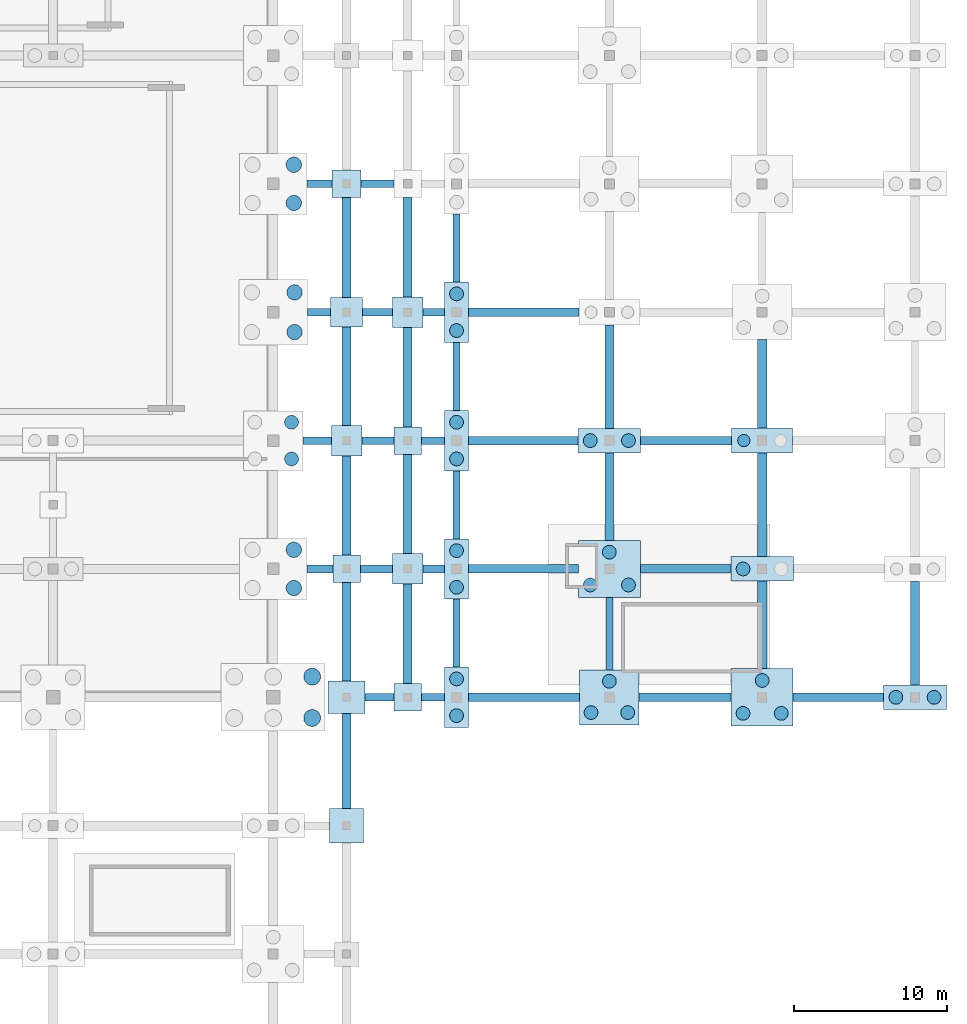
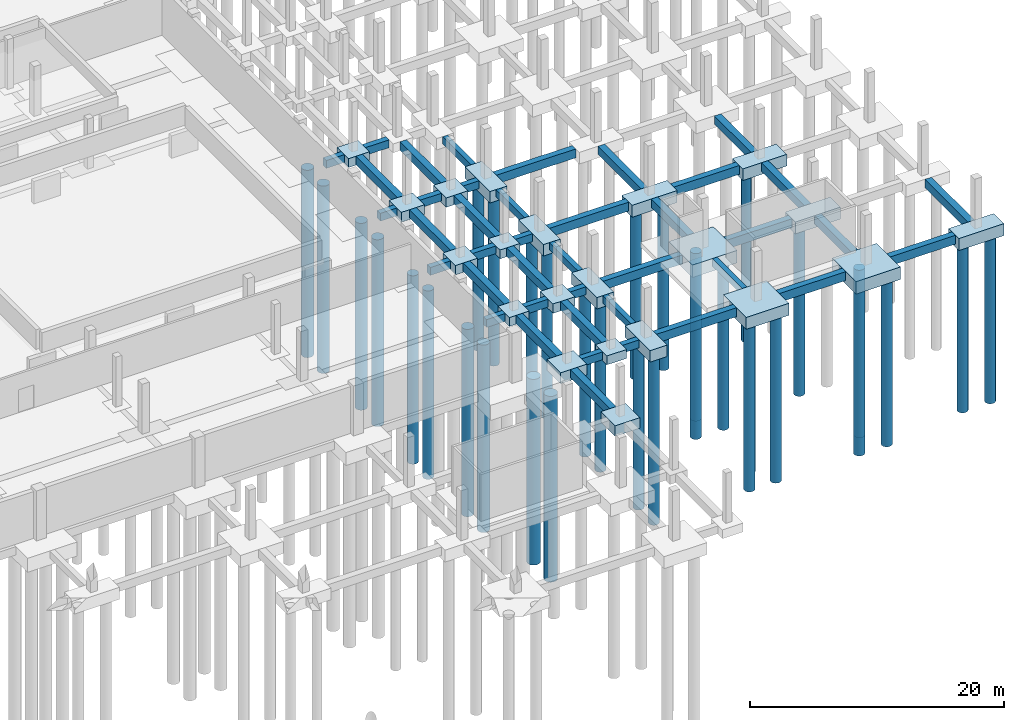
# One storey, part 7 of 26: 62 footings, 33 piles.
"""IFC4 building model written with IfcOpenShell, lengths in metres."""

from ifc_helpers import new_model, si_unit, direction, frame, origin, origin_2d, place, context, subcontext, project, spatial, rectangle, circle, extrude, material, material_profile, profile_set, type_object, element, save


model = new_model("IFC4")

# Units and contexts
model_context = context("Model", 3, precision=1e-05, world=origin(), true_north=direction((0.0, 1.0)))
body_context = subcontext(model_context, "Body", "Model", "MODEL_VIEW")
ifc_project = project(units=[si_unit("LENGTHUNIT", "METRE"), si_unit("AREAUNIT", "SQUARE_METRE"), si_unit("VOLUMEUNIT", "CUBIC_METRE"), si_unit("PLANEANGLEUNIT", "RADIAN"), si_unit("MASSUNIT", "GRAM", prefix="KILO"), si_unit("THERMODYNAMICTEMPERATUREUNIT", "KELVIN")], contexts=[model_context])

# Site, building, storey
site_placement = place(None, origin())
site = spatial("IfcSite", under=ifc_project, at=site_placement, CompositionType="ELEMENT")
building_placement = place(site_placement, origin())
building = spatial("IfcBuilding", under=site, at=building_placement, Name="Nduvali Passage Aquatics Centre", CompositionType="ELEMENT")
storey_placement = place(building_placement, frame((0.0, 0.0, -4.800048828125)))
storey = spatial("IfcBuildingStorey", under=building, at=storey_placement, Name="B01", CompositionType="ELEMENT", Elevation=-4.800048828125)

# Footings
ifc_material = material(Name="Concrete C40/50", Category="concrete")
footing_type_1 = type_object("IfcFootingType", Name="STR-GB-1", PredefinedType="FOOTING_BEAM", material=ifc_material)
footing_1_placement = place(storey_placement, frame((130.800048828125, 21.02490234375, -0.7998046875), z_axis=(0.0, 0.0, 1.0), x_axis=(0.0, 1.0, 0.0)))
element("IfcFooting", 1, at=footing_1_placement, inside=storey, type_object=footing_type_1, Name="Ground Beam Y-0253", PredefinedType="FOOTING_BEAM", context=body_context, shape_type="SweptSolid", body=[
    extrude(rectangle(XDim=6.199951171875, YDim=0.60009765625, at=origin_2d()), origin(), (0.0, 0.0, 1.0), 0.800048828125),
])
footing_2_placement = place(storey_placement, frame((130.800048828125, 29.487548828125, -0.7998046875), z_axis=(0.0, 0.0, 1.0), x_axis=(0.0, 1.0, 0.0)))
element("IfcFooting", 2, at=footing_2_placement, inside=storey, type_object=footing_type_1, Name="Ground Beam Y-0254", PredefinedType="FOOTING_BEAM", context=body_context, shape_type="SweptSolid", body=[
    extrude(rectangle(XDim=6.425048828125, YDim=0.60009765625, at=origin_2d()), origin(), (0.0, 0.0, 1.0), 0.800048828125),
])
footing_3_placement = place(storey_placement, frame((130.800048828125, 37.75, -0.7998046875), z_axis=(0.0, 0.0, 1.0), x_axis=(0.0, 1.0, 0.0)))
element("IfcFooting", 3, at=footing_3_placement, inside=storey, type_object=footing_type_1, Name="Ground Beam Y-0255", PredefinedType="FOOTING_BEAM", context=body_context, shape_type="SweptSolid", body=[
    extrude(rectangle(XDim=6.5, YDim=0.60009765625, at=origin_2d()), origin(), (0.0, 0.0, 1.0), 0.800048828125),
])
footing_4_placement = place(storey_placement, frame((130.800048828125, 46.22509765625, -0.7998046875), z_axis=(0.0, 0.0, 1.0), x_axis=(0.0, 1.0, 0.0)))
element("IfcFooting", 4, at=footing_4_placement, inside=storey, type_object=footing_type_1, Name="Ground Beam Y-0256", PredefinedType="FOOTING_BEAM", context=body_context, shape_type="SweptSolid", body=[
    extrude(rectangle(XDim=6.449951171875, YDim=0.60009765625, at=origin_2d()), origin(), (0.0, 0.0, 1.0), 0.800048828125),
])
footing_5_placement = place(storey_placement, frame((130.800048828125, 54.625, -0.7998046875), z_axis=(0.0, 0.0, 1.0), x_axis=(0.0, 1.0, 0.0)))
element("IfcFooting", 5, at=footing_5_placement, inside=storey, type_object=footing_type_1, Name="Ground Beam Y-0257", PredefinedType="FOOTING_BEAM", context=body_context, shape_type="SweptSolid", body=[
    extrude(rectangle(XDim=6.550048828125, YDim=0.60009765625, at=origin_2d()), origin(), (0.0, 0.0, 1.0), 0.800048828125),
])
for number, where, z_axis, x_axis, name in (
    (6, (134.800048828125, 29.35009765625, -0.7998046875), (0.0, 0.0, 1.0), (0.0, 1.0, 0.0), "Ground Beam Y-0265"),
    (7, (134.800048828125, 37.85009765625, -0.7998046875), (0.0, 0.0, 1.0), (0.0, 1.0, 0.0), "Ground Beam Y-0266"),
    (8, (134.800048828125, 46.14990234375, -0.7998046875), (0.0, 0.0, 1.0), (0.0, 1.0, 0.0), "Ground Beam Y-0267"),
    (9, (134.800048828125, 54.64990234375, -0.7998046875), (0.0, 0.0, 1.0), (0.0, 1.0, 0.0), "Ground Beam Y-0268"),
):
    element("IfcFooting", number, at=place(storey_placement, frame(where, z_axis=z_axis, x_axis=x_axis)), inside=storey, type_object=footing_type_1, Name=name, PredefinedType="FOOTING_BEAM", context=body_context, shape_type="SweptSolid", body=[
        extrude(rectangle(XDim=6.5, YDim=0.60009765625, at=origin_2d()), origin(), (0.0, 0.0, 1.0), 0.800048828125),
    ])
footing_6_placement = place(storey_placement, frame((148.0, 38.33740234375, -0.7998046875), z_axis=(0.0, 0.0, 1.0), x_axis=(0.0, 1.0, 0.0)))
element("IfcFooting", 10, at=footing_6_placement, inside=storey, type_object=footing_type_1, Name="Ground Beam Y-0282", PredefinedType="FOOTING_BEAM", context=body_context, shape_type="SweptSolid", body=[
    extrude(rectangle(XDim=5.72509765625, YDim=0.60009765625, at=origin_2d()), origin(), (0.0, 0.0, 1.0), 0.800048828125),
])
footing_7_placement = place(storey_placement, frame((148.0, 46.1875, -0.7998046875), z_axis=(0.0, 0.0, 1.0), x_axis=(0.0, 1.0, 0.0)))
element("IfcFooting", 11, at=footing_7_placement, inside=storey, type_object=footing_type_1, Name="Ground Beam Y-0283", PredefinedType="FOOTING_BEAM", context=body_context, shape_type="SweptSolid", body=[
    extrude(rectangle(XDim=6.77490234375, YDim=0.60009765625, at=origin_2d()), origin(), (0.0, 0.0, 1.0), 0.800048828125),
])
footing_8_placement = place(storey_placement, frame((158.0, 29.9375, -0.7998046875), z_axis=(0.0, 0.0, 1.0), x_axis=(0.0, 1.0, 0.0)))
element("IfcFooting", 12, at=footing_8_placement, inside=storey, type_object=footing_type_1, Name="Ground Beam Y-0289", PredefinedType="FOOTING_BEAM", context=body_context, shape_type="SweptSolid", body=[
    extrude(rectangle(XDim=5.72509765625, YDim=0.60009765625, at=origin_2d()), origin(), (0.0, 0.0, 1.0), 0.800048828125),
])
footing_9_placement = place(storey_placement, frame((158.0, 37.78759765625, -0.7998046875), z_axis=(0.0, 0.0, 1.0), x_axis=(0.0, 1.0, 0.0)))
element("IfcFooting", 13, at=footing_9_placement, inside=storey, type_object=footing_type_1, Name="Ground Beam Y-0290", PredefinedType="FOOTING_BEAM", context=body_context, shape_type="SweptSolid", body=[
    extrude(rectangle(XDim=6.77490234375, YDim=0.60009765625, at=origin_2d()), origin(), (0.0, 0.0, 1.0), 0.800048828125),
])
footing_10_placement = place(storey_placement, frame((158.0, 45.71240234375, -0.7998046875), z_axis=(0.0, 0.0, 1.0), x_axis=(0.0, 1.0, 0.0)))
element("IfcFooting", 14, at=footing_10_placement, inside=storey, type_object=footing_type_1, Name="Ground Beam Y-0291", PredefinedType="FOOTING_BEAM", context=body_context, shape_type="SweptSolid", body=[
    extrude(rectangle(XDim=5.77490234375, YDim=0.60009765625, at=origin_2d()), origin(), (0.0, 0.0, 1.0), 0.800048828125),
])
footing_11_placement = place(storey_placement, frame((168.0, 29.387451171875, -0.7998046875), z_axis=(0.0, 0.0, 1.0), x_axis=(0.0, 1.0, 0.0)))
element("IfcFooting", 15, at=footing_11_placement, inside=storey, type_object=footing_type_1, Name="Ground Beam Y-0297", PredefinedType="FOOTING_BEAM", context=body_context, shape_type="SweptSolid", body=[
    extrude(rectangle(XDim=6.77490234375, YDim=0.60009765625, at=origin_2d()), origin(), (0.0, 0.0, 1.0), 0.800048828125),
])
footing_type_2 = type_object("IfcFootingType", Name="STR-GB-2", PredefinedType="FOOTING_BEAM", material=ifc_material)
footing_12_placement = place(storey_placement, frame((132.949951171875, 25.199951171875, -0.75), z_axis=(0.0, 0.0, 1.0), x_axis=(1.0, 0.0, 0.0)))
element("IfcFooting", 16, at=footing_12_placement, inside=storey, type_object=footing_type_2, Name="Ground Beam X-0025", PredefinedType="FOOTING_BEAM", context=body_context, shape_type="SweptSolid", body=[
    extrude(rectangle(XDim=1.89990234375, YDim=0.5, at=origin_2d()), origin(), (0.0, 0.0, 1.0), 0.75),
])
footing_13_placement = place(storey_placement, frame((136.46240234375, 25.199951171875, -0.75), z_axis=(0.0, 0.0, 1.0), x_axis=(1.0, 0.0, 0.0)))
element("IfcFooting", 17, at=footing_13_placement, inside=storey, type_object=footing_type_2, Name="Ground Beam X-0026", PredefinedType="FOOTING_BEAM", context=body_context, shape_type="SweptSolid", body=[
    extrude(rectangle(XDim=1.52490234375, YDim=0.5, at=origin_2d()), origin(), (0.0, 0.0, 1.0), 0.75),
])
footing_14_placement = place(storey_placement, frame((129.050048828125, 33.60009765625, -0.75), z_axis=(0.0, 0.0, 1.0), x_axis=(1.0, 0.0, 0.0)))
element("IfcFooting", 18, at=footing_14_placement, inside=storey, type_object=footing_type_2, Name="Ground Beam X-0040", PredefinedType="FOOTING_BEAM", context=body_context, shape_type="SweptSolid", body=[
    extrude(rectangle(XDim=1.699951171875, YDim=0.5, at=origin_2d()), origin(), (0.0, 0.0, 1.0), 0.75),
])
footing_15_placement = place(storey_placement, frame((132.75, 33.60009765625, -0.75), z_axis=(0.0, 0.0, 1.0), x_axis=(1.0, 0.0, 0.0)))
element("IfcFooting", 19, at=footing_15_placement, inside=storey, type_object=footing_type_2, Name="Ground Beam X-0041", PredefinedType="FOOTING_BEAM", context=body_context, shape_type="SweptSolid", body=[
    extrude(rectangle(XDim=2.10009765625, YDim=0.5, at=origin_2d()), origin(), (0.0, 0.0, 1.0), 0.75),
])
footing_16_placement = place(storey_placement, frame((136.512451171875, 33.60009765625, -0.75), z_axis=(0.0, 0.0, 1.0), x_axis=(1.0, 0.0, 0.0)))
element("IfcFooting", 20, at=footing_16_placement, inside=storey, type_object=footing_type_2, Name="Ground Beam X-0042", PredefinedType="FOOTING_BEAM", context=body_context, shape_type="SweptSolid", body=[
    extrude(rectangle(XDim=1.425048828125, YDim=0.5, at=origin_2d()), origin(), (0.0, 0.0, 1.0), 0.75),
])
footing_17_placement = place(storey_placement, frame((128.875, 42.0, -0.75), z_axis=(0.0, 0.0, 1.0), x_axis=(1.0, 0.0, 0.0)))
element("IfcFooting", 21, at=footing_17_placement, inside=storey, type_object=footing_type_2, Name="Ground Beam X-0056", PredefinedType="FOOTING_BEAM", context=body_context, shape_type="SweptSolid", body=[
    extrude(rectangle(XDim=1.85009765625, YDim=0.5, at=origin_2d()), origin(), (0.0, 0.0, 1.0), 0.75),
])
footing_18_placement = place(storey_placement, frame((132.85009765625, 42.0, -0.75), z_axis=(0.0, 0.0, 1.0), x_axis=(1.0, 0.0, 0.0)))
element("IfcFooting", 22, at=footing_18_placement, inside=storey, type_object=footing_type_2, Name="Ground Beam X-0057", PredefinedType="FOOTING_BEAM", context=body_context, shape_type="SweptSolid", body=[
    extrude(rectangle(XDim=2.10009765625, YDim=0.5, at=origin_2d()), origin(), (0.0, 0.0, 1.0), 0.75),
])
footing_19_placement = place(storey_placement, frame((136.46240234375, 42.0, -0.75), z_axis=(0.0, 0.0, 1.0), x_axis=(1.0, 0.0, 0.0)))
element("IfcFooting", 23, at=footing_19_placement, inside=storey, type_object=footing_type_2, Name="Ground Beam X-0058", PredefinedType="FOOTING_BEAM", context=body_context, shape_type="SweptSolid", body=[
    extrude(rectangle(XDim=1.52490234375, YDim=0.5, at=origin_2d()), origin(), (0.0, 0.0, 1.0), 0.75),
])
footing_20_placement = place(storey_placement, frame((129.0, 50.39990234375, -0.75), z_axis=(0.0, 0.0, 1.0), x_axis=(1.0, 0.0, 0.0)))
element("IfcFooting", 24, at=footing_20_placement, inside=storey, type_object=footing_type_2, Name="Ground Beam X-0062", PredefinedType="FOOTING_BEAM", context=body_context, shape_type="SweptSolid", body=[
    extrude(rectangle(XDim=1.5, YDim=0.5, at=origin_2d()), origin(), (0.0, 0.0, 1.0), 0.75),
])
footing_21_placement = place(storey_placement, frame((132.824951171875, 50.39990234375, -0.75), z_axis=(0.0, 0.0, 1.0), x_axis=(1.0, 0.0, 0.0)))
element("IfcFooting", 25, at=footing_21_placement, inside=storey, type_object=footing_type_2, Name="Ground Beam X-0063", PredefinedType="FOOTING_BEAM", context=body_context, shape_type="SweptSolid", body=[
    extrude(rectangle(XDim=1.949951171875, YDim=0.5, at=origin_2d()), origin(), (0.0, 0.0, 1.0), 0.75),
])
footing_22_placement = place(storey_placement, frame((136.512451171875, 50.39990234375, -0.75), z_axis=(0.0, 0.0, 1.0), x_axis=(1.0, 0.0, 0.0)))
element("IfcFooting", 26, at=footing_22_placement, inside=storey, type_object=footing_type_2, Name="Ground Beam X-0064", PredefinedType="FOOTING_BEAM", context=body_context, shape_type="SweptSolid", body=[
    extrude(rectangle(XDim=1.425048828125, YDim=0.5, at=origin_2d()), origin(), (0.0, 0.0, 1.0), 0.75),
])
footing_23_placement = place(storey_placement, frame((129.02490234375, 58.800048828125, -0.75), z_axis=(0.0, 0.0, 1.0), x_axis=(1.0, 0.0, 0.0)))
element("IfcFooting", 27, at=footing_23_placement, inside=storey, type_object=footing_type_2, Name="Ground Beam X-0068", PredefinedType="FOOTING_BEAM", context=body_context, shape_type="SweptSolid", body=[
    extrude(rectangle(XDim=1.64990234375, YDim=0.5, at=origin_2d()), origin(), (0.0, 0.0, 1.0), 0.75),
])
footing_24_placement = place(storey_placement, frame((132.824951171875, 58.800048828125, -0.75), z_axis=(0.0, 0.0, 1.0), x_axis=(1.0, 0.0, 0.0)))
element("IfcFooting", 28, at=footing_24_placement, inside=storey, type_object=footing_type_2, Name="Ground Beam X-0069", PredefinedType="FOOTING_BEAM", context=body_context, shape_type="SweptSolid", body=[
    extrude(rectangle(XDim=2.14990234375, YDim=0.5, at=origin_2d()), origin(), (0.0, 0.0, 1.0), 0.75),
])
footing_type_3 = type_object("IfcFootingType", Name="STR-GB-4", PredefinedType="FOOTING_BEAM", material=ifc_material)
footing_25_placement = place(storey_placement, frame((142.41259765625, 25.199951171875, -0.85009765625), z_axis=(0.0, 0.0, 1.0), x_axis=(1.0, 0.0, 0.0)))
element("IfcFooting", 29, at=footing_25_placement, inside=storey, type_object=footing_type_3, Name="Ground Beam X-0027", PredefinedType="FOOTING_BEAM", context=body_context, shape_type="SweptSolid", body=[
    extrude(rectangle(XDim=7.27490234375, YDim=0.550048828125, at=origin_2d()), origin(), (0.0, 0.0, 1.0), 0.85009765625),
])
footing_26_placement = place(storey_placement, frame((152.96240234375, 25.199951171875, -0.85009765625), z_axis=(0.0, 0.0, 1.0), x_axis=(1.0, 0.0, 0.0)))
element("IfcFooting", 30, at=footing_26_placement, inside=storey, type_object=footing_type_3, Name="Ground Beam X-0028", PredefinedType="FOOTING_BEAM", context=body_context, shape_type="SweptSolid", body=[
    extrude(rectangle(XDim=6.02490234375, YDim=0.550048828125, at=origin_2d()), origin(), (0.0, 0.0, 1.0), 0.85009765625),
])
footing_27_placement = place(storey_placement, frame((162.987548828125, 25.199951171875, -0.85009765625), z_axis=(0.0, 0.0, 1.0), x_axis=(1.0, 0.0, 0.0)))
element("IfcFooting", 31, at=footing_27_placement, inside=storey, type_object=footing_type_3, Name="Ground Beam X-0029", PredefinedType="FOOTING_BEAM", context=body_context, shape_type="SweptSolid", body=[
    extrude(rectangle(XDim=5.925048828125, YDim=0.550048828125, at=origin_2d()), origin(), (0.0, 0.0, 1.0), 0.85009765625),
])
footing_28_placement = place(storey_placement, frame((142.375, 33.60009765625, -0.85009765625), z_axis=(0.0, 0.0, 1.0), x_axis=(1.0, 0.0, 0.0)))
element("IfcFooting", 32, at=footing_28_placement, inside=storey, type_object=footing_type_3, Name="Ground Beam X-0043", PredefinedType="FOOTING_BEAM", context=body_context, shape_type="SweptSolid", body=[
    extrude(rectangle(XDim=7.199951171875, YDim=0.550048828125, at=origin_2d()), origin(), (0.0, 0.0, 1.0), 0.85009765625),
])
footing_29_placement = place(storey_placement, frame((152.987548828125, 33.60009765625, -0.85009765625), z_axis=(0.0, 0.0, 1.0), x_axis=(1.0, 0.0, 0.0)))
element("IfcFooting", 33, at=footing_29_placement, inside=storey, type_object=footing_type_3, Name="Ground Beam X-0044", PredefinedType="FOOTING_BEAM", context=body_context, shape_type="SweptSolid", body=[
    extrude(rectangle(XDim=5.925048828125, YDim=0.550048828125, at=origin_2d()), origin(), (0.0, 0.0, 1.0), 0.85009765625),
])
footing_30_placement = place(storey_placement, frame((142.362548828125, 42.0, -0.85009765625), z_axis=(0.0, 0.0, 1.0), x_axis=(1.0, 0.0, 0.0)))
element("IfcFooting", 34, at=footing_30_placement, inside=storey, type_object=footing_type_3, Name="Ground Beam X-0059", PredefinedType="FOOTING_BEAM", context=body_context, shape_type="SweptSolid", body=[
    extrude(rectangle(XDim=7.175048828125, YDim=0.550048828125, at=origin_2d()), origin(), (0.0, 0.0, 1.0), 0.85009765625),
])
footing_31_placement = place(storey_placement, frame((153.02490234375, 42.0, -0.85009765625), z_axis=(0.0, 0.0, 1.0), x_axis=(1.0, 0.0, 0.0)))
element("IfcFooting", 35, at=footing_31_placement, inside=storey, type_object=footing_type_3, Name="Ground Beam X-0060", PredefinedType="FOOTING_BEAM", context=body_context, shape_type="SweptSolid", body=[
    extrude(rectangle(XDim=5.949951171875, YDim=0.550048828125, at=origin_2d()), origin(), (0.0, 0.0, 1.0), 0.85009765625),
])
footing_32_placement = place(storey_placement, frame((142.387451171875, 50.39990234375, -0.85009765625), z_axis=(0.0, 0.0, 1.0), x_axis=(1.0, 0.0, 0.0)))
element("IfcFooting", 36, at=footing_32_placement, inside=storey, type_object=footing_type_3, Name="Ground Beam X-0065", PredefinedType="FOOTING_BEAM", context=body_context, shape_type="SweptSolid", body=[
    extrude(rectangle(XDim=7.22509765625, YDim=0.550048828125, at=origin_2d()), origin(), (0.0, 0.0, 1.0), 0.85009765625),
])
footing_type_4 = type_object("IfcFootingType", Name="STR-GB-6", PredefinedType="FOOTING_BEAM", material=ifc_material)
for number, where, z_axis, x_axis, name in (
    (37, (138.0, 29.39990234375, -0.69970703125), (0.0, 0.0, 1.0), (0.0, 1.0, 0.0), "Ground Beam Y-0273"),
    (38, (138.0, 37.800048828125, -0.69970703125), (0.0, 0.0, 1.0), (0.0, 1.0, 0.0), "Ground Beam Y-0274"),
    (39, (138.0, 46.199951171875, -0.69970703125), (0.0, 0.0, 1.0), (0.0, 1.0, 0.0), "Ground Beam Y-0275"),
    (40, (138.0, 54.60009765625, -0.69970703125), (0.0, 0.0, 1.0), (0.0, 1.0, 0.0), "Ground Beam Y-0276"),
):
    element("IfcFooting", number, at=place(storey_placement, frame(where, z_axis=z_axis, x_axis=x_axis)), inside=storey, type_object=footing_type_4, Name=name, PredefinedType="FOOTING_BEAM", context=body_context, shape_type="SweptSolid", body=[
        extrude(rectangle(XDim=4.449951171875, YDim=0.449951171875, at=origin_2d()), origin(), (0.0, 0.0, 1.0), 0.699951171875),
    ])
footing_33_placement = place(storey_placement, frame((148.0, 29.362548828125, -0.69970703125), z_axis=(0.0, 0.0, 1.0), x_axis=(0.0, 1.0, 0.0)))
element("IfcFooting", 41, at=footing_33_placement, inside=storey, type_object=footing_type_4, Name="Ground Beam Y-0281", PredefinedType="FOOTING_BEAM", context=body_context, shape_type="SweptSolid", body=[
    extrude(rectangle(XDim=4.72509765625, YDim=0.449951171875, at=origin_2d()), origin(), (0.0, 0.0, 1.0), 0.699951171875),
])
footing_type_5 = type_object("IfcFootingType", Name="STR-PC-2B", PredefinedType="PILE_CAP", material=ifc_material)
for number, where, z_axis, x_axis, name in (
    (42, (138.0, 25.199951171875, -1.10009765625), (0.0, 0.0, 1.0), (1.0, 0.0, 0.0), "Pile Cap PC2B at (138.0, 25.2)"),
    (43, (138.0, 33.60009765625, -1.10009765625), (0.0, 0.0, 1.0), (1.0, 0.0, 0.0), "Pile Cap PC2B at (138.0, 33.6)"),
    (44, (138.0, 42.0, -1.10009765625), (0.0, 0.0, 1.0), (1.0, 0.0, 0.0), "Pile Cap PC2B at (138.0, 42.0)"),
    (45, (138.0, 50.39990234375, -1.10009765625), (0.0, 0.0, 1.0), (1.0, 0.0, 0.0), "Pile Cap PC2B at (138.0, 50.4)"),
):
    element("IfcFooting", number, at=place(storey_placement, frame(where, z_axis=z_axis, x_axis=x_axis)), inside=storey, type_object=footing_type_5, Name=name, PredefinedType="PILE_CAP", context=body_context, shape_type="SweptSolid", body=[
        extrude(rectangle(XDim=1.550048828125, YDim=3.949951171875, at=origin_2d()), origin(), (0.0, 0.0, 1.0), 1.10009765625),
    ])
footing_type_6 = type_object("IfcFootingType", Name="STR-PC-2C", PredefinedType="PILE_CAP", material=ifc_material)
for number, where, z_axis, x_axis, name in (
    (46, (148.0, 42.0, -1.14990234375), (0.0, 0.0, 1.0), (1.0, 0.0, 0.0), "Pile Cap PC2C at (148.0, 42.0)"),
    (47, (158.0, 33.60009765625, -1.14990234375), (0.0, 0.0, 1.0), (1.0, 0.0, 0.0), "Pile Cap PC2C at (158.0, 33.6)"),
    (48, (168.0, 25.199951171875, -1.14990234375), (0.0, 0.0, 1.0), (1.0, 0.0, 0.0), "Pile Cap PC2C at (168.0, 25.2)"),
):
    element("IfcFooting", number, at=place(storey_placement, frame(where, z_axis=z_axis, x_axis=x_axis)), inside=storey, type_object=footing_type_6, Name=name, PredefinedType="PILE_CAP", context=body_context, shape_type="SweptSolid", body=[
        extrude(rectangle(XDim=4.10009765625, YDim=1.60009765625, at=origin_2d()), origin(), (0.0, 0.0, 1.0), 1.14990234375),
    ])
footing_type_7 = type_object("IfcFootingType", Name="STR-PC-2D", PredefinedType="PILE_CAP", material=ifc_material)
footing_34_placement = place(storey_placement, frame((158.0, 42.0, -1.1201171875), z_axis=(0.0, 0.0, 1.0), x_axis=(1.0, 0.0, 0.0)))
element("IfcFooting", 49, at=footing_34_placement, inside=storey, type_object=footing_type_7, Name="Pile Cap PC2D at (158.0, 42.0)", PredefinedType="PILE_CAP", context=body_context, shape_type="SweptSolid", body=[
    extrude(rectangle(XDim=4.0, YDim=1.64990234375, at=origin_2d()), origin(), (0.0, 0.0, 1.0), 1.1201171875),
])
footing_type_8 = type_object("IfcFootingType", Name="STR-PC-3A", PredefinedType="PILE_CAP", material=ifc_material)
footing_35_placement = place(storey_placement, frame((148.0, 25.199951171875, -1.14990234375), z_axis=(0.0, 0.0, 1.0), x_axis=(1.0, 0.0, 0.0)))
element("IfcFooting", 50, at=footing_35_placement, inside=storey, type_object=footing_type_8, Name="Pile Cap PC3A at (148.0, 25.2)", PredefinedType="PILE_CAP", context=body_context, shape_type="SweptSolid", body=[
    extrude(rectangle(XDim=3.89990234375, YDim=3.60009765625, at=origin_2d()), origin(), (0.0, 0.0, 1.0), 1.14990234375),
])
footing_type_9 = type_object("IfcFootingType", Name="STR-PC-3B", PredefinedType="PILE_CAP", material=ifc_material)
for number, where, z_axis, x_axis, name in (
    (51, (148.0, 33.60009765625, -1.19970703125), (0.0, 0.0, 1.0), (1.0, 0.0, 0.0), "Pile Cap PC3B at (148.0, 33.6)"),
    (52, (158.0, 25.199951171875, -1.19970703125), (0.0, 0.0, 1.0), (1.0, 0.0, 0.0), "Pile Cap PC3B at (158.0, 25.2)"),
):
    element("IfcFooting", number, at=place(storey_placement, frame(where, z_axis=z_axis, x_axis=x_axis)), inside=storey, type_object=footing_type_9, Name=name, PredefinedType="PILE_CAP", context=body_context, shape_type="SweptSolid", body=[
        extrude(rectangle(XDim=4.050048828125, YDim=3.75, at=origin_2d()), origin(), (0.0, 0.0, 1.0), 1.199951171875),
    ])
footing_type_10 = type_object("IfcFootingType", Name="STR-PF-1", PredefinedType="PAD_FOOTING", material=ifc_material)
for number, where, z_axis, x_axis, name in (
    (53, (130.800048828125, 33.60009765625, -0.85009765625), (0.0, 0.0, 1.0), (1.0, 0.0, 0.0), "Pad Footing PF1 at (130.8, 33.6)"),
    (54, (134.800048828125, 25.199951171875, -0.85009765625), (0.0, 0.0, 1.0), (1.0, 0.0, 0.0), "Pad Footing PF1 at (134.8, 25.2)"),
    (55, (134.800048828125, 42.0, -0.85009765625), (0.0, 0.0, 1.0), (1.0, 0.0, 0.0), "Pad Footing PF1 at (134.8, 42.0)"),
):
    element("IfcFooting", number, at=place(storey_placement, frame(where, z_axis=z_axis, x_axis=x_axis)), inside=storey, type_object=footing_type_10, Name=name, PredefinedType="PAD_FOOTING", context=body_context, shape_type="SweptSolid", body=[
        extrude(rectangle(XDim=1.800048828125, YDim=1.800048828125, at=origin_2d()), origin(), (0.0, 0.0, 1.0), 0.85009765625),
    ])
footing_type_11 = type_object("IfcFootingType", Name="STR-PF-2", PredefinedType="PAD_FOOTING", material=ifc_material)
for number, where, z_axis, x_axis, name in (
    (56, (130.800048828125, 42.0, -0.89990234375), (0.0, 0.0, 1.0), (1.0, 0.0, 0.0), "Pad Footing PF2 at (130.8, 42.0)"),
    (57, (134.800048828125, 33.60009765625, -0.89990234375), (0.0, 0.0, 1.0), (1.0, 0.0, 0.0), "Pad Footing PF2 at (134.8, 33.6)"),
    (58, (134.800048828125, 50.39990234375, -0.89990234375), (0.0, 0.0, 1.0), (1.0, 0.0, 0.0), "Pad Footing PF2 at (134.8, 50.4)"),
):
    element("IfcFooting", number, at=place(storey_placement, frame(where, z_axis=z_axis, x_axis=x_axis)), inside=storey, type_object=footing_type_11, Name=name, PredefinedType="PAD_FOOTING", context=body_context, shape_type="SweptSolid", body=[
        extrude(rectangle(XDim=2.0, YDim=2.0, at=origin_2d()), origin(), (0.0, 0.0, 1.0), 0.89990234375),
    ])
footing_type_12 = type_object("IfcFootingType", Name="STR-PF-3", PredefinedType="PAD_FOOTING", material=ifc_material)
footing_36_placement = place(storey_placement, frame((130.800048828125, 50.39990234375, -0.94970703125), z_axis=(0.0, 0.0, 1.0), x_axis=(1.0, 0.0, 0.0)))
element("IfcFooting", 59, at=footing_36_placement, inside=storey, type_object=footing_type_12, Name="Pad Footing PF3 at (130.8, 50.4)", PredefinedType="PAD_FOOTING", context=body_context, shape_type="SweptSolid", body=[
    extrude(rectangle(XDim=2.10009765625, YDim=1.89990234375, at=origin_2d()), origin(), (0.0, 0.0, 1.0), 0.949951171875),
])
footing_type_13 = type_object("IfcFootingType", Name="STR-PF-4", PredefinedType="PAD_FOOTING", material=ifc_material)
footing_37_placement = place(storey_placement, frame((130.800048828125, 58.800048828125, -0.85009765625), z_axis=(0.0, 0.0, 1.0), x_axis=(1.0, 0.0, 0.0)))
element("IfcFooting", 60, at=footing_37_placement, inside=storey, type_object=footing_type_13, Name="Pad Footing PF4 at (130.8, 58.8)", PredefinedType="PAD_FOOTING", context=body_context, shape_type="SweptSolid", body=[
    extrude(rectangle(XDim=1.89990234375, YDim=1.800048828125, at=origin_2d()), origin(), (0.0, 0.0, 1.0), 0.85009765625),
])
footing_type_14 = type_object("IfcFootingType", Name="STR-PF-6", PredefinedType="PAD_FOOTING", material=ifc_material)
footing_38_placement = place(storey_placement, frame((130.800048828125, 16.800048828125, -1.0), z_axis=(0.0, 0.0, 1.0), x_axis=(1.0, 0.0, 0.0)))
element("IfcFooting", 61, at=footing_38_placement, inside=storey, type_object=footing_type_14, Name="Pad Footing PF6 at (130.8, 16.8)", PredefinedType="PAD_FOOTING", context=body_context, shape_type="SweptSolid", body=[
    extrude(rectangle(XDim=2.25, YDim=2.25, at=origin_2d()), origin(), (0.0, 0.0, 1.0), 1.0),
])
footing_type_15 = type_object("IfcFootingType", Name="STR-PF-7", PredefinedType="PAD_FOOTING", material=ifc_material)
footing_39_placement = place(storey_placement, frame((130.800048828125, 25.199951171875, -1.0498046875), z_axis=(0.0, 0.0, 1.0), x_axis=(1.0, 0.0, 0.0)))
element("IfcFooting", 62, at=footing_39_placement, inside=storey, type_object=footing_type_15, Name="Pad Footing PF7 at (130.8, 25.2)", PredefinedType="PAD_FOOTING", context=body_context, shape_type="SweptSolid", body=[
    extrude(rectangle(XDim=2.39990234375, YDim=2.14990234375, at=origin_2d()), origin(), (0.0, 0.0, 1.0), 1.050048828125),
])

# Piles
ifc_material_profile_1 = material_profile(ifc_material, circle(Radius=0.5, at=origin_2d()), Name="PILE D1000")
ifc_profile_set_1 = profile_set([ifc_material_profile_1], Name="Concrete C40/50")
pile_type_1 = type_object("IfcPileType", Name="STR-PILE-D1000", PredefinedType="BORED", material=ifc_profile_set_1)
for number, where, z_axis, x_axis, name in (
    (63, (127.35009765625, 32.35009765625, -1.199951171875), (0.0, 0.0, -1.0), (1.0, 0.0, 0.0), "Bored Pile 132-2"),
    (64, (127.35009765625, 34.85009765625, -1.199951171875), (0.0, 0.0, -1.0), (1.0, 0.0, 0.0), "Bored Pile 132-4"),
):
    element("IfcPile", number, at=place(storey_placement, frame(where, z_axis=z_axis, x_axis=x_axis)), inside=storey, type_object=pile_type_1, Name=name, PredefinedType="BORED", context=body_context, shape_type="SweptSolid", body=[
        extrude(circle(Radius=0.5, at=origin_2d()), origin(), (0.0, 0.0, 1.0), 18.0),
    ])
for number, where, z_axis, x_axis, name in (
    (65, (127.39990234375, 49.10009765625, -1.25), (0.0, 0.0, -1.0), (1.0, 0.0, 0.0), "Bored Pile 134-2"),
    (66, (127.39990234375, 51.699951171875, -1.25), (0.0, 0.0, -1.0), (1.0, 0.0, 0.0), "Bored Pile 134-4"),
):
    element("IfcPile", number, at=place(storey_placement, frame(where, z_axis=z_axis, x_axis=x_axis)), inside=storey, type_object=pile_type_1, Name=name, PredefinedType="BORED", context=body_context, shape_type="SweptSolid", body=[
        extrude(circle(Radius=0.5, at=origin_2d()), origin(), (0.0, 0.0, 1.0), 17.949951171875),
    ])
for number, where, z_axis, x_axis, name in (
    (67, (127.35009765625, 57.550048828125, -1.199951171875), (0.0, 0.0, -1.0), (1.0, 0.0, 0.0), "Bored Pile 135-2"),
    (68, (127.35009765625, 60.050048828125, -1.199951171875), (0.0, 0.0, -1.0), (1.0, 0.0, 0.0), "Bored Pile 135-4"),
):
    element("IfcPile", number, at=place(storey_placement, frame(where, z_axis=z_axis, x_axis=x_axis)), inside=storey, type_object=pile_type_1, Name=name, PredefinedType="BORED", context=body_context, shape_type="SweptSolid", body=[
        extrude(circle(Radius=0.5, at=origin_2d()), origin(), (0.0, 0.0, 1.0), 18.0),
    ])
ifc_material_profile_2 = material_profile(ifc_material, circle(Radius=0.550048828125, at=origin_2d()), Name="PILE D1100")
ifc_profile_set_2 = profile_set([ifc_material_profile_2], Name="Concrete C40/50")
pile_type_2 = type_object("IfcPileType", Name="STR-PILE-D1100", PredefinedType="BORED", material=ifc_profile_set_2)
for number, where, z_axis, x_axis, name in (
    (69, (128.550048828125, 23.85009765625, -1.349853515625), (0.0, 0.0, -1.0), (1.0, 0.0, 0.0), "Bored Pile 131-3"),
    (70, (128.550048828125, 26.550048828125, -1.349853515625), (0.0, 0.0, -1.0), (1.0, 0.0, 0.0), "Bored Pile 131-6"),
):
    element("IfcPile", number, at=place(storey_placement, frame(where, z_axis=z_axis, x_axis=x_axis)), inside=storey, type_object=pile_type_2, Name=name, PredefinedType="BORED", context=body_context, shape_type="SweptSolid", body=[
        extrude(circle(Radius=0.550048828125, at=origin_2d()), origin(), (0.0, 0.0, 1.0), 17.85009765625),
    ])
ifc_material_profile_3 = material_profile(ifc_material, circle(Radius=0.39990234375, at=origin_2d()), Name="PILE D800")
ifc_profile_set_3 = profile_set([ifc_material_profile_3], Name="Concrete C40/50")
pile_type_3 = type_object("IfcPileType", Name="STR-PILE-D800", PredefinedType="BORED", material=ifc_profile_set_3)
pile_placement = place(storey_placement, frame((156.800048828125, 42.0, -1.02001953125), z_axis=(0.0, 0.0, -1.0), x_axis=(1.0, 0.0, 0.0)))
element("IfcPile", 71, at=pile_placement, inside=storey, type_object=pile_type_3, Name="Bored Pile 187-1", PredefinedType="BORED", context=body_context, shape_type="SweptSolid", body=[
    extrude(circle(Radius=0.39990234375, at=origin_2d()), origin(), (0.0, 0.0, 1.0), 16.179931640625),
])
ifc_material_profile_4 = material_profile(ifc_material, circle(Radius=0.449951171875, at=origin_2d()), Name="PILE D900")
ifc_profile_set_4 = profile_set([ifc_material_profile_4], Name="Concrete C40/50")
pile_type_4 = type_object("IfcPileType", Name="STR-PILE-D900", PredefinedType="BORED", material=ifc_profile_set_4)
for number, where, z_axis, x_axis, name in (
    (72, (127.199951171875, 40.800048828125, -1.099853515625), (0.0, 0.0, -1.0), (1.0, 0.0, 0.0), "Bored Pile 133-2"),
    (73, (127.199951171875, 43.199951171875, -1.099853515625), (0.0, 0.0, -1.0), (1.0, 0.0, 0.0), "Bored Pile 133-4"),
):
    element("IfcPile", number, at=place(storey_placement, frame(where, z_axis=z_axis, x_axis=x_axis)), inside=storey, type_object=pile_type_4, Name=name, PredefinedType="BORED", context=body_context, shape_type="SweptSolid", body=[
        extrude(circle(Radius=0.449951171875, at=origin_2d()), origin(), (0.0, 0.0, 1.0), 18.10009765625),
    ])
for number, where, z_axis, x_axis, name in (
    (74, (138.0, 24.0, -1.0), (0.0, 0.0, -1.0), (1.0, 0.0, 0.0), "Bored Pile 167-1"),
    (75, (138.0, 26.39990234375, -1.0), (0.0, 0.0, -1.0), (1.0, 0.0, 0.0), "Bored Pile 167-2"),
    (76, (138.0, 32.39990234375, -1.0), (0.0, 0.0, -1.0), (1.0, 0.0, 0.0), "Bored Pile 168-1"),
    (77, (138.0, 34.800048828125, -1.0), (0.0, 0.0, -1.0), (1.0, 0.0, 0.0), "Bored Pile 168-2"),
    (78, (138.0, 40.800048828125, -1.0), (0.0, 0.0, -1.0), (1.0, 0.0, 0.0), "Bored Pile 169-1"),
    (79, (138.0, 43.199951171875, -1.0), (0.0, 0.0, -1.0), (1.0, 0.0, 0.0), "Bored Pile 169-2"),
    (80, (138.0, 49.199951171875, -1.0), (0.0, 0.0, -1.0), (1.0, 0.0, 0.0), "Bored Pile 170-1"),
    (81, (138.0, 51.60009765625, -1.0), (0.0, 0.0, -1.0), (1.0, 0.0, 0.0), "Bored Pile 170-2"),
):
    element("IfcPile", number, at=place(storey_placement, frame(where, z_axis=z_axis, x_axis=x_axis)), inside=storey, type_object=pile_type_4, Name=name, PredefinedType="BORED", context=body_context, shape_type="SweptSolid", body=[
        extrude(circle(Radius=0.449951171875, at=origin_2d()), origin(), (0.0, 0.0, 1.0), 16.199951171875),
    ])
for number, where, z_axis, x_axis, name in (
    (82, (146.800048828125, 24.199951171875, -1.050048828125), (0.0, 0.0, -1.0), (1.0, 0.0, 0.0), "Bored Pile 176-1"),
    (83, (149.199951171875, 24.199951171875, -1.050048828125), (0.0, 0.0, -1.0), (1.0, 0.0, 0.0), "Bored Pile 176-2"),
    (84, (148.0, 26.25, -1.050048828125), (0.0, 0.0, -1.0), (1.0, 0.0, 0.0), "Bored Pile 176-3"),
):
    element("IfcPile", number, at=place(storey_placement, frame(where, z_axis=z_axis, x_axis=x_axis)), inside=storey, type_object=pile_type_4, Name=name, PredefinedType="BORED", context=body_context, shape_type="SweptSolid", body=[
        extrude(circle(Radius=0.449951171875, at=origin_2d()), origin(), (0.0, 0.0, 1.0), 16.14990234375),
    ])
for number, where, z_axis, x_axis, name in (
    (85, (146.75, 32.550048828125, -1.099853515625), (0.0, 0.0, -1.0), (1.0, 0.0, 0.0), "Bored Pile 177-1"),
    (86, (149.25, 32.550048828125, -1.099853515625), (0.0, 0.0, -1.0), (1.0, 0.0, 0.0), "Bored Pile 177-2"),
    (87, (148.0, 34.699951171875, -1.099853515625), (0.0, 0.0, -1.0), (1.0, 0.0, 0.0), "Bored Pile 177-3"),
):
    element("IfcPile", number, at=place(storey_placement, frame(where, z_axis=z_axis, x_axis=x_axis)), inside=storey, type_object=pile_type_4, Name=name, PredefinedType="BORED", context=body_context, shape_type="SweptSolid", body=[
        extrude(circle(Radius=0.449951171875, at=origin_2d()), origin(), (0.0, 0.0, 1.0), 16.10009765625),
    ])
for number, where, z_axis, x_axis, name in (
    (88, (146.75, 42.0, -1.050048828125), (0.0, 0.0, -1.0), (1.0, 0.0, 0.0), "Bored Pile 178-1"),
    (89, (149.25, 42.0, -1.050048828125), (0.0, 0.0, -1.0), (1.0, 0.0, 0.0), "Bored Pile 178-2"),
):
    element("IfcPile", number, at=place(storey_placement, frame(where, z_axis=z_axis, x_axis=x_axis)), inside=storey, type_object=pile_type_4, Name=name, PredefinedType="BORED", context=body_context, shape_type="SweptSolid", body=[
        extrude(circle(Radius=0.449951171875, at=origin_2d()), origin(), (0.0, 0.0, 1.0), 16.14990234375),
    ])
for number, where, z_axis, x_axis, name in (
    (90, (156.75, 24.14990234375, -1.099853515625), (0.0, 0.0, -1.0), (1.0, 0.0, 0.0), "Bored Pile 185-1"),
    (91, (159.25, 24.14990234375, -1.099853515625), (0.0, 0.0, -1.0), (1.0, 0.0, 0.0), "Bored Pile 185-2"),
    (92, (158.0, 26.300048828125, -1.099853515625), (0.0, 0.0, -1.0), (1.0, 0.0, 0.0), "Bored Pile 185-3"),
):
    element("IfcPile", number, at=place(storey_placement, frame(where, z_axis=z_axis, x_axis=x_axis)), inside=storey, type_object=pile_type_4, Name=name, PredefinedType="BORED", context=body_context, shape_type="SweptSolid", body=[
        extrude(circle(Radius=0.449951171875, at=origin_2d()), origin(), (0.0, 0.0, 1.0), 16.10009765625),
    ])
for number, where, z_axis, x_axis, name in (
    (93, (156.75, 33.60009765625, -1.050048828125), (0.0, 0.0, -1.0), (1.0, 0.0, 0.0), "Bored Pile 186-1"),
    (94, (166.75, 25.199951171875, -1.050048828125), (0.0, 0.0, -1.0), (1.0, 0.0, 0.0), "Bored Pile 194-1"),
    (95, (169.25, 25.199951171875, -1.050048828125), (0.0, 0.0, -1.0), (1.0, 0.0, 0.0), "Bored Pile 194-2"),
):
    element("IfcPile", number, at=place(storey_placement, frame(where, z_axis=z_axis, x_axis=x_axis)), inside=storey, type_object=pile_type_4, Name=name, PredefinedType="BORED", context=body_context, shape_type="SweptSolid", body=[
        extrude(circle(Radius=0.449951171875, at=origin_2d()), origin(), (0.0, 0.0, 1.0), 16.14990234375),
    ])

save(model, "model.ifc")
